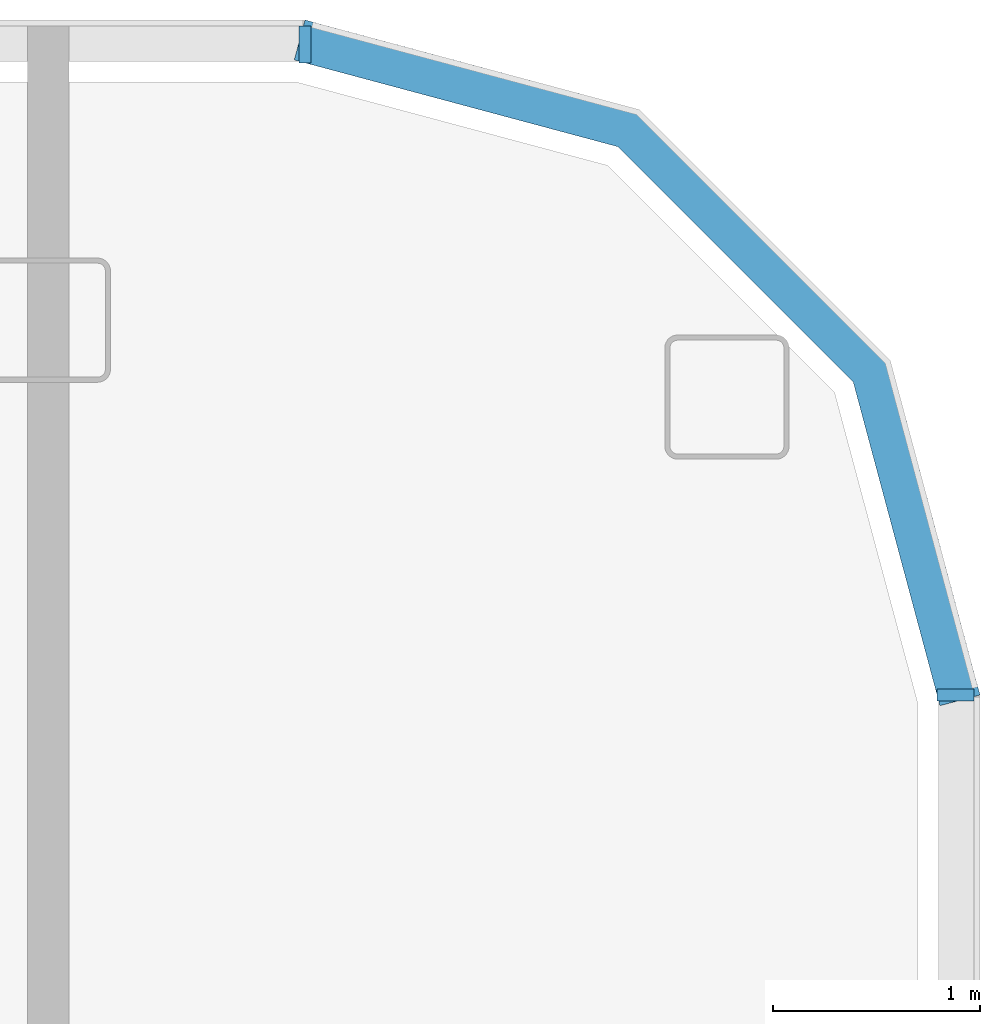
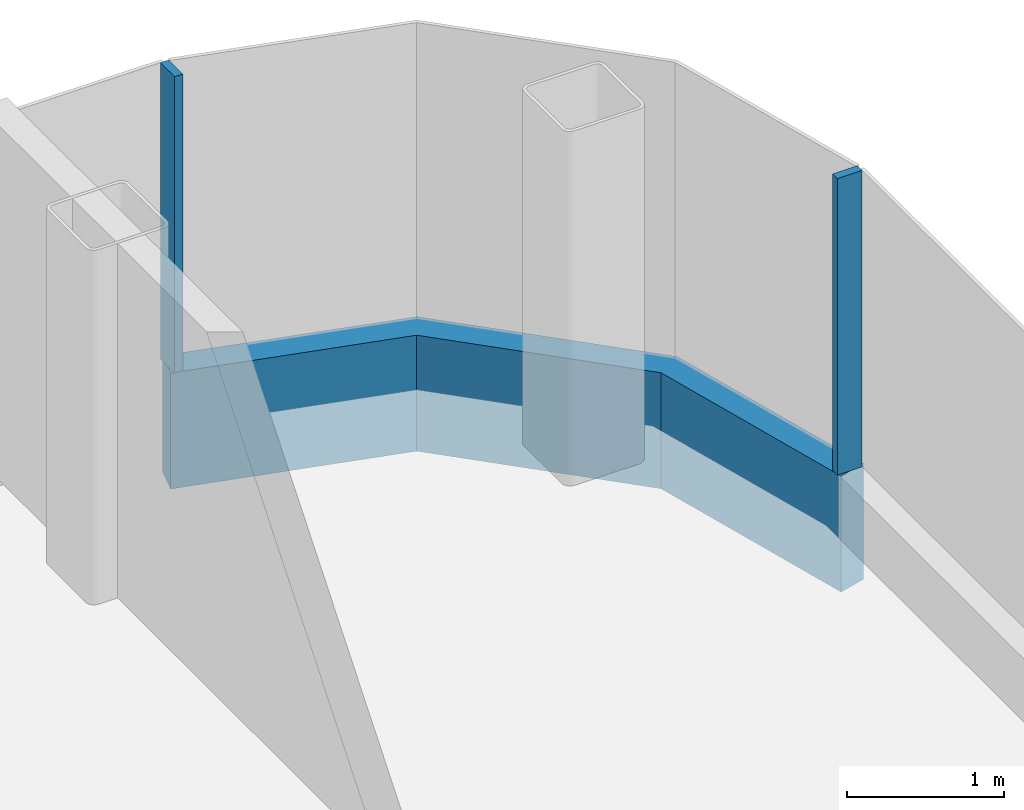
# One storey, part 11 of 25: 3 members, 3 elements without a shape of their own.
"""IFC4 building model written with IfcOpenShell, lengths in metres."""

import ifcopenshell
import ifcopenshell.guid

model = None  # the IFC model being written
_history = None  # IfcOwnerHistory: only IFC2X3 demands one
_inside = {}  # id of a spatial element -> (the spatial element, [elements in it])
_under = {}  # id of a project, library or spatial element -> (it, [spatial elements below it])
_declared = {}  # id of a project -> (the project, [libraries it declares])
_typed = {}  # id of a type object -> (the type object, [elements of that type])
_made_of = {}  # id of a material, layer set ... -> (it, [elements and type objects made of it])


def new_model(schema):
    """Start an empty IFC model of exactly this schema.

    Asked for "IFC4X3", IfcOpenShell would pick the latest addendum, in which some entities
    have other attributes; the version numbers below select the first issue.
    IFC2X3 requires an IfcOwnerHistory on every rooted entity: one is made here for all.
    """
    global model, _history
    if schema == "IFC4X3":
        model = ifcopenshell.file(schema_version=(4, 3, 0, 0))
    else:
        model = ifcopenshell.file(schema=schema)
    _inside.clear()
    _under.clear()
    _declared.clear()
    _typed.clear()
    _made_of.clear()
    _history = None
    if model.schema == "IFC2X3":
        org = make("IfcOrganization", Name="unknown")
        user = make(
            "IfcPersonAndOrganization",
            ThePerson=make("IfcPerson", FamilyName="unknown"),
            TheOrganization=org,
        )
        app = make(
            "IfcApplication",
            ApplicationDeveloper=org,
            Version="unknown",
            ApplicationFullName="unknown",
            ApplicationIdentifier="unknown",
        )
        _history = make(
            "IfcOwnerHistory",
            OwningUser=user,
            OwningApplication=app,
            ChangeAction="ADDED",
            CreationDate=0,
        )
    return model


def make(cls, **values):
    """One entity of the class cls with the attributes given. An attribute that is None is left unset."""
    return model.create_entity(
        cls, **{name: value for name, value in values.items() if value is not None}
    )


def rooted(cls, **values):
    """An entity with a GlobalId (a new one), such as an element, a storey or a relation."""
    return make(cls, GlobalId=ifcopenshell.guid.new(), OwnerHistory=_history, **values)


def si_unit(unit_type, name, prefix=None):
    """IfcSIUnit, for example si_unit("LENGTHUNIT", "METRE", prefix="MILLI")."""
    return make("IfcSIUnit", UnitType=unit_type, Prefix=prefix, Name=name)


def assignment(units):
    """IfcUnitAssignment: the units of a project."""
    return None if units is None else make("IfcUnitAssignment", Units=units)


def point(xyz):
    """IfcCartesianPoint."""
    return None if xyz is None else make("IfcCartesianPoint", Coordinates=xyz)


def direction(xyz):
    """IfcDirection."""
    return None if xyz is None else make("IfcDirection", DirectionRatios=xyz)


def frame(location, z_axis=None, x_axis=None):
    """IfcAxis2Placement3D, a coordinate frame: its origin and axes. An axis left out is left unset."""
    return make(
        "IfcAxis2Placement3D",
        Location=point(location),
        Axis=direction(z_axis),
        RefDirection=direction(x_axis),
    )


def frame_2d(location, x_axis=None):
    """IfcAxis2Placement2D, a coordinate frame in the plane: its origin and x axis."""
    return make(
        "IfcAxis2Placement2D", Location=point(location), RefDirection=direction(x_axis)
    )


def origin():
    """The frame at (0, 0, 0) with its axes left unset."""
    return frame((0.0, 0.0, 0.0))


def origin_2d():
    """The frame at (0, 0) in the plane with its x axis left unset."""
    return frame_2d((0.0, 0.0))


def place(relative_to, where):
    """IfcLocalPlacement: puts the frame where relative to a parent placement (None: the world)."""
    return make(
        "IfcLocalPlacement", PlacementRelTo=relative_to, RelativePlacement=where
    )


def context(
    kind, dimensions, precision=None, world=None, true_north=None, identifier=None
):
    """IfcGeometricRepresentationContext, for example the 3D "Model" context."""
    return make(
        "IfcGeometricRepresentationContext",
        ContextIdentifier=identifier,
        ContextType=kind,
        CoordinateSpaceDimension=dimensions,
        Precision=precision,
        WorldCoordinateSystem=world,
        TrueNorth=true_north,
    )


def subcontext(parent, identifier, kind, view, scale=None):
    """IfcGeometricRepresentationSubContext, for example "Body" below "Model"."""
    return make(
        "IfcGeometricRepresentationSubContext",
        ContextIdentifier=identifier,
        ContextType=kind,
        ParentContext=parent,
        TargetScale=scale,
        TargetView=view,
    )


def project(units=None, contexts=None):
    """IfcProject with its units and contexts."""
    return rooted(
        "IfcProject",
        Name="project",
        RepresentationContexts=contexts,
        UnitsInContext=assignment(units),
    )


def spatial(cls, under=None, at=None, **own):
    """A site, building, storey or space (cls), placed at a placement, below another one or the project."""
    s = rooted(cls, ObjectPlacement=at, **own)
    if under is not None:
        _under.setdefault(under.id(), (under, []))[1].append(s)
    return s


def polyline(points):
    """IfcPolyline through the points."""
    return make("IfcPolyline", Points=[point(p) for p in points])


def profile(cls, at=None, kind="AREA", **sizes):
    """A parametric profile (cls). Its sizes go by their IFC names, for example OverallWidth=200.0."""
    return make(cls, ProfileType=kind, Position=at, **sizes)


def rectangle(**sizes):
    """IfcRectangleProfileDef."""
    return profile("IfcRectangleProfileDef", **sizes)


def outline(outer, holes=None, kind="AREA"):
    """IfcArbitraryClosedProfileDef: a profile drawn as a closed curve; with holes, ...WithVoids."""
    if holes is None:
        return make("IfcArbitraryClosedProfileDef", ProfileType=kind, OuterCurve=outer)
    return make(
        "IfcArbitraryProfileDefWithVoids",
        ProfileType=kind,
        OuterCurve=outer,
        InnerCurves=holes,
    )


def extrude(swept, where, along, depth):
    """IfcExtrudedAreaSolid: the profile swept, set in the frame where, extruded along a direction by depth."""
    return make(
        "IfcExtrudedAreaSolid",
        SweptArea=swept,
        Position=where,
        ExtrudedDirection=direction(along),
        Depth=depth,
    )


def shape(context_of_items, identifier, shape_type, items):
    """IfcShapeRepresentation: the items that make up one representation, for example the "Body"."""
    return make(
        "IfcShapeRepresentation",
        ContextOfItems=context_of_items,
        RepresentationIdentifier=identifier,
        RepresentationType=shape_type,
        Items=items,
    )


def material(Name=None, Category=None):
    """IfcMaterial."""
    return make("IfcMaterial", Name=Name, Category=Category)


def layer(
    of_material, thickness, ventilated=None, Name=None, Category=None, Priority=None
):
    """IfcMaterialLayer: one layer of a wall or slab, of a material (None: an air gap)."""
    return make(
        "IfcMaterialLayer",
        Material=of_material,
        LayerThickness=thickness,
        IsVentilated=ventilated,
        Name=Name,
        Category=Category,
        Priority=Priority,
    )


def layer_set(layers, Name=None):
    """IfcMaterialLayerSet."""
    return make("IfcMaterialLayerSet", MaterialLayers=layers, LayerSetName=Name)


def material_profile(
    of_material, cross_section, Name=None, Category=None, Priority=None
):
    """IfcMaterialProfile: a cross section and its material."""
    return make(
        "IfcMaterialProfile",
        Name=Name,
        Material=of_material,
        Profile=cross_section,
        Priority=Priority,
        Category=Category,
    )


def profile_set(profiles, Name=None, composite=None):
    """IfcMaterialProfileSet."""
    return make(
        "IfcMaterialProfileSet",
        Name=Name,
        MaterialProfiles=profiles,
        CompositeProfile=composite,
    )


def made_of(thing, what):
    """Note that an element or type object is made of a material, layer set ...; save() writes the relation."""
    if what is not None:
        _made_of.setdefault(what.id(), (what, []))[1].append(thing)
    return thing


def type_object(cls, material=None, **own):
    """A type object (cls), such as IfcWallType, which elements share."""
    return made_of(rooted(cls, **own), material)


def element(
    cls,
    number,
    at=None,
    inside=None,
    cuts=None,
    type_object=None,
    material=None,
    context=None,
    identifier="Body",
    shape_type=None,
    held_by="IfcProductDefinitionShape",
    body=None,
    shapes=None,
    **own,
):
    """One element of the class cls, such as IfcWall. Its Tag is "e" and its number.

    at: its placement. inside: the storey or other place that contains it. cuts: it is an
    opening in that element (IfcRelVoidsElement). A single representation is given by context,
    identifier, shape_type and body (its items); several are given by shapes. held_by: the class
    of the entity that holds the representations. save() writes the other relations.
    """
    e = rooted(cls, Tag="e%d" % number, ObjectPlacement=at, **own)
    if body is not None:
        shapes = [shape(context, identifier, shape_type, body)]
    if shapes is not None:
        e.Representation = make(held_by, Representations=shapes)
    if inside is not None:
        _inside.setdefault(inside.id(), (inside, []))[1].append(e)
    if cuts is not None:
        rooted(
            "IfcRelVoidsElement", RelatingBuildingElement=cuts, RelatedOpeningElement=e
        )
    if type_object is not None:
        _typed.setdefault(type_object.id(), (type_object, []))[1].append(e)
    return made_of(e, material)


def aggregate(whole, parts):
    """IfcRelAggregates: a whole, such as a stair, and the parts it consists of."""
    return rooted("IfcRelAggregates", RelatingObject=whole, RelatedObjects=parts)


def save(model, path):
    """Write the relations noted so far, then the file.

    IfcRelAggregates (storeys below a building ...), IfcRelContainedInSpatialStructure (elements
    in a storey), IfcRelDefinesByType, IfcRelAssociatesMaterial and IfcRelDeclares: one each for
    every whole, place, type object, material and project.
    """
    for whole, parts in _under.values():
        aggregate(whole, parts)
    for where, things in _inside.values():
        rooted(
            "IfcRelContainedInSpatialStructure",
            RelatedElements=things,
            RelatingStructure=where,
        )
    for kind, things in _typed.values():
        rooted("IfcRelDefinesByType", RelatedObjects=things, RelatingType=kind)
    for what, things in _made_of.values():
        rooted("IfcRelAssociatesMaterial", RelatedObjects=things, RelatingMaterial=what)
    for by, libraries in _declared.values():
        rooted("IfcRelDeclares", RelatingContext=by, RelatedDefinitions=libraries)
    model.write(path)


model = new_model("IFC4")

# Units and contexts
model_context = context("Model", 3, precision=1e-05, world=origin(), true_north=direction((0.0, 1.0)))
body_context = subcontext(model_context, "Body", "Model", "MODEL_VIEW")
ifc_project = project(units=[si_unit("LENGTHUNIT", "METRE"), si_unit("AREAUNIT", "SQUARE_METRE"), si_unit("VOLUMEUNIT", "CUBIC_METRE"), si_unit("PLANEANGLEUNIT", "RADIAN"), si_unit("MASSUNIT", "GRAM", prefix="KILO")], contexts=[model_context])

# Site, building, storey
site_placement = place(None, origin())
site = spatial("IfcSite", under=ifc_project, at=site_placement, CompositionType="ELEMENT")
building_placement = place(site_placement, origin())
building = spatial("IfcBuilding", under=site, at=building_placement, Name="Hakoniwa Tower and Hamabe Station Hall", CompositionType="ELEMENT")
storey_placement = place(building_placement, frame((0.0, 0.0, 202.60009765625)))
storey = spatial("IfcBuildingStorey", under=building, at=storey_placement, Name="L57", CompositionType="ELEMENT", Elevation=202.60009765625)

# Curtain wall, member
ifc_material_1 = material(Name="Dark low-e laminated glass", Category="glass")
ifc_layer = layer(ifc_material_1, 0.199951171875)
ifc_layer_set = layer_set([ifc_layer], Name="CW-1 UNITISED GUEST")
curtain_wall_type = type_object("IfcCurtainWallType", Name="CW-1 UNITISED GUEST", PredefinedType="NOTDEFINED", material=ifc_layer_set)
curtain_wall_1_placement = place(storey_placement, origin())
curtain_wall_1 = element("IfcCurtainWall", 1, at=curtain_wall_1_placement, inside=storey, type_object=curtain_wall_type, Name="CW-1 curtain wall", PredefinedType="NOTDEFINED")
ifc_material_2 = material(Name="Aluminium 6063-T5 black anodised", Category="aluminium")
ifc_material_profile_1 = material_profile(ifc_material_2, rectangle(XDim=0.199951171875, YDim=0.89990234375, at=origin_2d()), Name="CW SLAB-EDGE BAND 900X200")
ifc_profile_set_1 = profile_set([ifc_material_profile_1], Name="Aluminium 6063-T5 black anodised")
member_type_1 = type_object("IfcMemberType", Name="CW SLAB-EDGE BAND 900X200", PredefinedType="USERDEFINED", material=ifc_profile_set_1)
member_1_placement = place(storey_placement, frame((0.0, 0.0, -0.550048828125)))
member_1 = element("IfcMember", 2, at=member_1_placement, type_object=member_type_1, Name="CW-1 transom", ObjectType="TRANSOM", PredefinedType="USERDEFINED", context=body_context, shape_type="SweptSolid", body=[
    extrude(outline(polyline([(38.10009765625, 17.28955078125), (37.6669921875, 18.9052734375), (36.455322265625, 20.116943359375), (34.839599609375, 20.550048828125), (34.787841796875, 20.35693359375), (36.351806640625, 19.937744140625), (37.48779296875, 18.8017578125), (37.90673828125, 17.23779296875), (38.10009765625, 17.28955078125)])), origin(), (0.0, 0.0, 1.0), 0.89990234375),
])
aggregate(curtain_wall_1, [member_1])

curtain_wall_2_placement = place(storey_placement, origin())
curtain_wall_2 = element("IfcCurtainWall", 3, at=curtain_wall_2_placement, inside=storey, type_object=curtain_wall_type, Name="CW-1 curtain wall", PredefinedType="NOTDEFINED")
ifc_material_3 = material(Name="Aluminium 6063-T5 black anodised", Category="aluminium")
ifc_material_profile_2 = material_profile(ifc_material_3, rectangle(XDim=0.06005859375, YDim=0.179931640625, at=origin_2d()), Name="CW-1 MULLION 60X180")
ifc_profile_set_2 = profile_set([ifc_material_profile_2], Name="Aluminium 6063-T5 black anodised")
member_type_2 = type_object("IfcMemberType", Name="CW-1 MULLION 60X180", PredefinedType="MULLION", material=ifc_profile_set_2)
member_2_placement = place(storey_placement, frame((37.98193359375, 17.28955078125, 0.349853515625), z_axis=(0.0, 0.0, 1.0), x_axis=(0.0, 1.0, 0.0)))
member_2 = element("IfcMember", 4, at=member_2_placement, type_object=member_type_2, Name="CW-1 mullion", PredefinedType="MULLION", context=body_context, shape_type="SweptSolid", body=[
    extrude(rectangle(XDim=0.06005859375, YDim=0.179931640625, at=origin_2d()), origin(), (0.0, 0.0, 1.0), 2.300048828125),
])
aggregate(curtain_wall_2, [member_2])

curtain_wall_3_placement = place(storey_placement, origin())
curtain_wall_3 = element("IfcCurtainWall", 5, at=curtain_wall_3_placement, inside=storey, type_object=curtain_wall_type, Name="CW-1 curtain wall", PredefinedType="NOTDEFINED")
member_3_placement = place(storey_placement, frame((34.839599609375, 20.431884765625, 0.349853515625), z_axis=(0.0, 0.0, 1.0), x_axis=(-1.0, 0.0, 0.0)))
member_3 = element("IfcMember", 6, at=member_3_placement, type_object=member_type_2, Name="CW-1 mullion", PredefinedType="MULLION", context=body_context, shape_type="SweptSolid", body=[
    extrude(rectangle(XDim=0.06005859375, YDim=0.179931640625, at=origin_2d()), origin(), (0.0, 0.0, 1.0), 2.300048828125),
])
aggregate(curtain_wall_3, [member_3])

save(model, "model.ifc")
